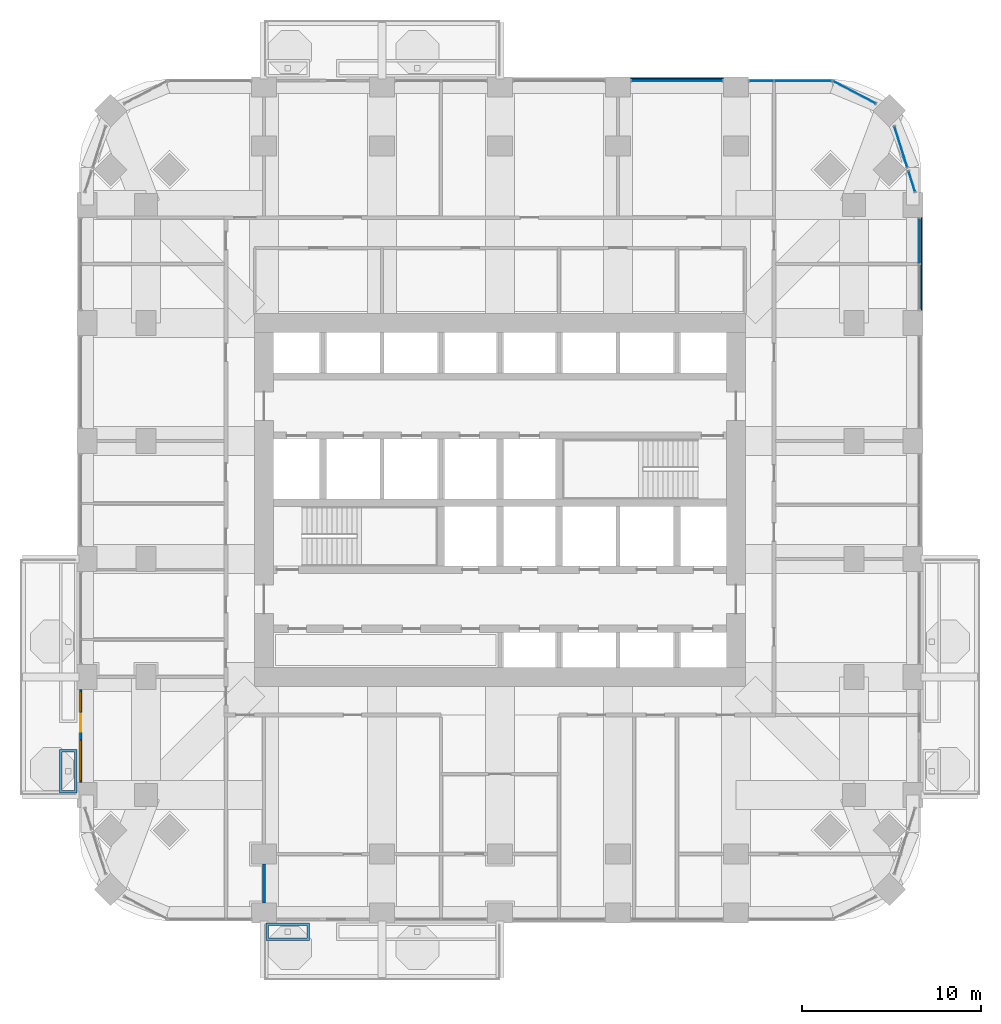
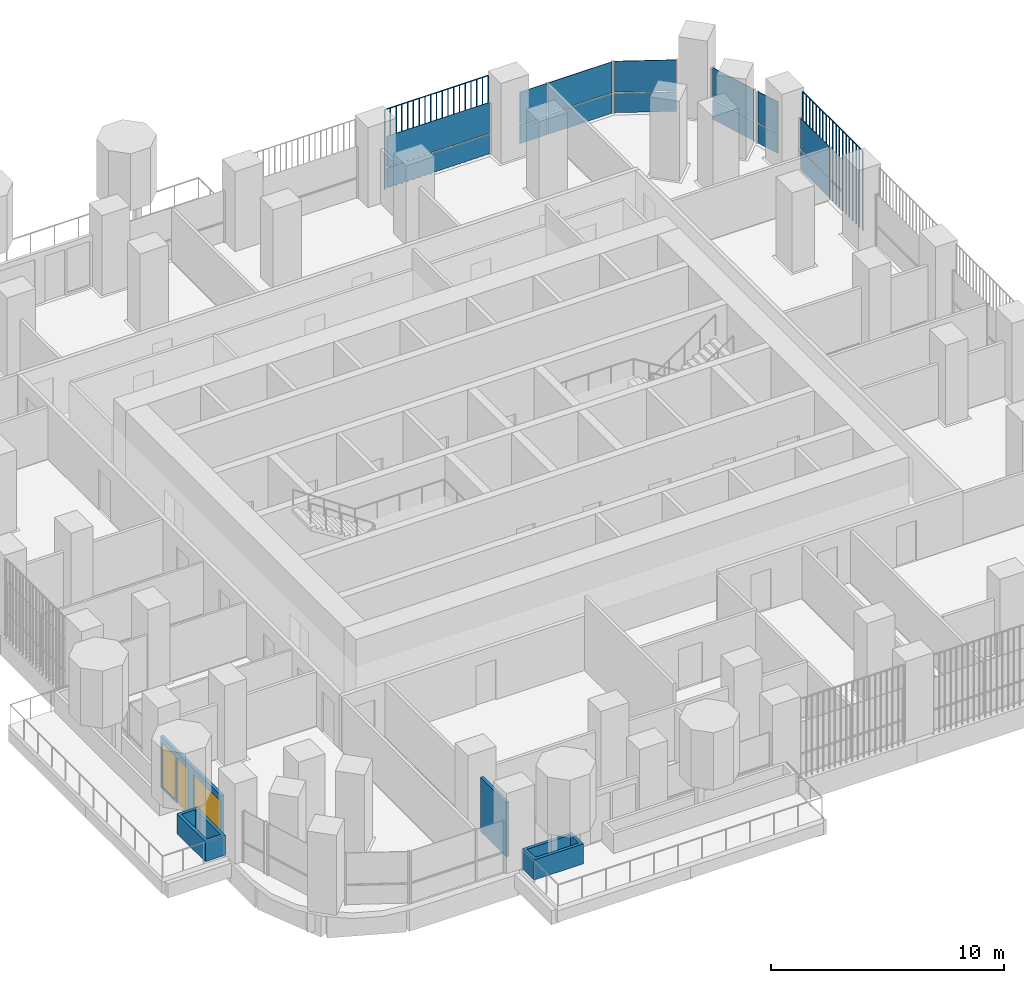
# One storey, part 12 of 21: 16 plates, 4 walls, 2 windows, 1 door, 3 openings, 6 elements without a shape of their own.
"""IFC4 building model written with IfcOpenShell, lengths in metres."""

import ifcopenshell
import ifcopenshell.guid

model = None  # the IFC model being written
_history = None  # IfcOwnerHistory: only IFC2X3 demands one
_inside = {}  # id of a spatial element -> (the spatial element, [elements in it])
_under = {}  # id of a project, library or spatial element -> (it, [spatial elements below it])
_declared = {}  # id of a project -> (the project, [libraries it declares])
_typed = {}  # id of a type object -> (the type object, [elements of that type])
_made_of = {}  # id of a material, layer set ... -> (it, [elements and type objects made of it])


def new_model(schema):
    """Start an empty IFC model of exactly this schema.

    Asked for "IFC4X3", IfcOpenShell would pick the latest addendum, in which some entities
    have other attributes; the version numbers below select the first issue.
    IFC2X3 requires an IfcOwnerHistory on every rooted entity: one is made here for all.
    """
    global model, _history
    if schema == "IFC4X3":
        model = ifcopenshell.file(schema_version=(4, 3, 0, 0))
    else:
        model = ifcopenshell.file(schema=schema)
    _inside.clear()
    _under.clear()
    _declared.clear()
    _typed.clear()
    _made_of.clear()
    _history = None
    if model.schema == "IFC2X3":
        org = make("IfcOrganization", Name="unknown")
        user = make(
            "IfcPersonAndOrganization",
            ThePerson=make("IfcPerson", FamilyName="unknown"),
            TheOrganization=org,
        )
        app = make(
            "IfcApplication",
            ApplicationDeveloper=org,
            Version="unknown",
            ApplicationFullName="unknown",
            ApplicationIdentifier="unknown",
        )
        _history = make(
            "IfcOwnerHistory",
            OwningUser=user,
            OwningApplication=app,
            ChangeAction="ADDED",
            CreationDate=0,
        )
    return model


def make(cls, **values):
    """One entity of the class cls with the attributes given. An attribute that is None is left unset."""
    return model.create_entity(
        cls, **{name: value for name, value in values.items() if value is not None}
    )


def rooted(cls, **values):
    """An entity with a GlobalId (a new one), such as an element, a storey or a relation."""
    return make(cls, GlobalId=ifcopenshell.guid.new(), OwnerHistory=_history, **values)


def si_unit(unit_type, name, prefix=None):
    """IfcSIUnit, for example si_unit("LENGTHUNIT", "METRE", prefix="MILLI")."""
    return make("IfcSIUnit", UnitType=unit_type, Prefix=prefix, Name=name)


def assignment(units):
    """IfcUnitAssignment: the units of a project."""
    return None if units is None else make("IfcUnitAssignment", Units=units)


def point(xyz):
    """IfcCartesianPoint."""
    return None if xyz is None else make("IfcCartesianPoint", Coordinates=xyz)


def direction(xyz):
    """IfcDirection."""
    return None if xyz is None else make("IfcDirection", DirectionRatios=xyz)


def frame(location, z_axis=None, x_axis=None):
    """IfcAxis2Placement3D, a coordinate frame: its origin and axes. An axis left out is left unset."""
    return make(
        "IfcAxis2Placement3D",
        Location=point(location),
        Axis=direction(z_axis),
        RefDirection=direction(x_axis),
    )


def frame_2d(location, x_axis=None):
    """IfcAxis2Placement2D, a coordinate frame in the plane: its origin and x axis."""
    return make(
        "IfcAxis2Placement2D", Location=point(location), RefDirection=direction(x_axis)
    )


def origin():
    """The frame at (0, 0, 0) with its axes left unset."""
    return frame((0.0, 0.0, 0.0))


def origin_2d():
    """The frame at (0, 0) in the plane with its x axis left unset."""
    return frame_2d((0.0, 0.0))


def place(relative_to, where):
    """IfcLocalPlacement: puts the frame where relative to a parent placement (None: the world)."""
    return make(
        "IfcLocalPlacement", PlacementRelTo=relative_to, RelativePlacement=where
    )


def context(
    kind, dimensions, precision=None, world=None, true_north=None, identifier=None
):
    """IfcGeometricRepresentationContext, for example the 3D "Model" context."""
    return make(
        "IfcGeometricRepresentationContext",
        ContextIdentifier=identifier,
        ContextType=kind,
        CoordinateSpaceDimension=dimensions,
        Precision=precision,
        WorldCoordinateSystem=world,
        TrueNorth=true_north,
    )


def subcontext(parent, identifier, kind, view, scale=None):
    """IfcGeometricRepresentationSubContext, for example "Body" below "Model"."""
    return make(
        "IfcGeometricRepresentationSubContext",
        ContextIdentifier=identifier,
        ContextType=kind,
        ParentContext=parent,
        TargetScale=scale,
        TargetView=view,
    )


def project(units=None, contexts=None):
    """IfcProject with its units and contexts."""
    return rooted(
        "IfcProject",
        Name="project",
        RepresentationContexts=contexts,
        UnitsInContext=assignment(units),
    )


def spatial(cls, under=None, at=None, **own):
    """A site, building, storey or space (cls), placed at a placement, below another one or the project."""
    s = rooted(cls, ObjectPlacement=at, **own)
    if under is not None:
        _under.setdefault(under.id(), (under, []))[1].append(s)
    return s


def polyline(points):
    """IfcPolyline through the points."""
    return make("IfcPolyline", Points=[point(p) for p in points])


def profile(cls, at=None, kind="AREA", **sizes):
    """A parametric profile (cls). Its sizes go by their IFC names, for example OverallWidth=200.0."""
    return make(cls, ProfileType=kind, Position=at, **sizes)


def rectangle(**sizes):
    """IfcRectangleProfileDef."""
    return profile("IfcRectangleProfileDef", **sizes)


def outline(outer, holes=None, kind="AREA"):
    """IfcArbitraryClosedProfileDef: a profile drawn as a closed curve; with holes, ...WithVoids."""
    if holes is None:
        return make("IfcArbitraryClosedProfileDef", ProfileType=kind, OuterCurve=outer)
    return make(
        "IfcArbitraryProfileDefWithVoids",
        ProfileType=kind,
        OuterCurve=outer,
        InnerCurves=holes,
    )


def extrude(swept, where, along, depth):
    """IfcExtrudedAreaSolid: the profile swept, set in the frame where, extruded along a direction by depth."""
    return make(
        "IfcExtrudedAreaSolid",
        SweptArea=swept,
        Position=where,
        ExtrudedDirection=direction(along),
        Depth=depth,
    )


def shape(context_of_items, identifier, shape_type, items):
    """IfcShapeRepresentation: the items that make up one representation, for example the "Body"."""
    return make(
        "IfcShapeRepresentation",
        ContextOfItems=context_of_items,
        RepresentationIdentifier=identifier,
        RepresentationType=shape_type,
        Items=items,
    )


def material(Name=None, Category=None):
    """IfcMaterial."""
    return make("IfcMaterial", Name=Name, Category=Category)


def layer(
    of_material, thickness, ventilated=None, Name=None, Category=None, Priority=None
):
    """IfcMaterialLayer: one layer of a wall or slab, of a material (None: an air gap)."""
    return make(
        "IfcMaterialLayer",
        Material=of_material,
        LayerThickness=thickness,
        IsVentilated=ventilated,
        Name=Name,
        Category=Category,
        Priority=Priority,
    )


def layer_set(layers, Name=None):
    """IfcMaterialLayerSet."""
    return make("IfcMaterialLayerSet", MaterialLayers=layers, LayerSetName=Name)


def made_of(thing, what):
    """Note that an element or type object is made of a material, layer set ...; save() writes the relation."""
    if what is not None:
        _made_of.setdefault(what.id(), (what, []))[1].append(thing)
    return thing


def type_object(cls, material=None, **own):
    """A type object (cls), such as IfcWallType, which elements share."""
    return made_of(rooted(cls, **own), material)


def element(
    cls,
    number,
    at=None,
    inside=None,
    cuts=None,
    type_object=None,
    material=None,
    context=None,
    identifier="Body",
    shape_type=None,
    held_by="IfcProductDefinitionShape",
    body=None,
    shapes=None,
    **own,
):
    """One element of the class cls, such as IfcWall. Its Tag is "e" and its number.

    at: its placement. inside: the storey or other place that contains it. cuts: it is an
    opening in that element (IfcRelVoidsElement). A single representation is given by context,
    identifier, shape_type and body (its items); several are given by shapes. held_by: the class
    of the entity that holds the representations. save() writes the other relations.
    """
    e = rooted(cls, Tag="e%d" % number, ObjectPlacement=at, **own)
    if body is not None:
        shapes = [shape(context, identifier, shape_type, body)]
    if shapes is not None:
        e.Representation = make(held_by, Representations=shapes)
    if inside is not None:
        _inside.setdefault(inside.id(), (inside, []))[1].append(e)
    if cuts is not None:
        rooted(
            "IfcRelVoidsElement", RelatingBuildingElement=cuts, RelatedOpeningElement=e
        )
    if type_object is not None:
        _typed.setdefault(type_object.id(), (type_object, []))[1].append(e)
    return made_of(e, material)


def fill(opening, filler):
    """IfcRelFillsElement: the door or window that sits in an opening."""
    return rooted(
        "IfcRelFillsElement",
        RelatingOpeningElement=opening,
        RelatedBuildingElement=filler,
    )


def aggregate(whole, parts):
    """IfcRelAggregates: a whole, such as a stair, and the parts it consists of."""
    return rooted("IfcRelAggregates", RelatingObject=whole, RelatedObjects=parts)


def save(model, path):
    """Write the relations noted so far, then the file.

    IfcRelAggregates (storeys below a building ...), IfcRelContainedInSpatialStructure (elements
    in a storey), IfcRelDefinesByType, IfcRelAssociatesMaterial and IfcRelDeclares: one each for
    every whole, place, type object, material and project.
    """
    for whole, parts in _under.values():
        aggregate(whole, parts)
    for where, things in _inside.values():
        rooted(
            "IfcRelContainedInSpatialStructure",
            RelatedElements=things,
            RelatingStructure=where,
        )
    for kind, things in _typed.values():
        rooted("IfcRelDefinesByType", RelatedObjects=things, RelatingType=kind)
    for what, things in _made_of.values():
        rooted("IfcRelAssociatesMaterial", RelatedObjects=things, RelatingMaterial=what)
    for by, libraries in _declared.values():
        rooted("IfcRelDeclares", RelatingContext=by, RelatedDefinitions=libraries)
    model.write(path)


model = new_model("IFC4")

# Units and contexts
model_context = context("Model", 3, precision=1e-05, world=origin(), true_north=direction((0.0, 1.0)))
body_context = subcontext(model_context, "Body", "Model", "MODEL_VIEW")
ifc_project = project(units=[si_unit("LENGTHUNIT", "METRE"), si_unit("AREAUNIT", "SQUARE_METRE"), si_unit("VOLUMEUNIT", "CUBIC_METRE"), si_unit("PLANEANGLEUNIT", "RADIAN"), si_unit("MASSUNIT", "GRAM", prefix="KILO")], contexts=[model_context])

# Site, building, storey
site_placement = place(None, origin())
site = spatial("IfcSite", under=ifc_project, at=site_placement, CompositionType="ELEMENT")
building_placement = place(site_placement, origin())
building = spatial("IfcBuilding", under=site, at=building_placement, Name="Cobogo Forest Laboratory Tower", CompositionType="ELEMENT")
storey_placement = place(building_placement, frame((0.0, 0.0, 132.60009765625)))
storey = spatial("IfcBuildingStorey", under=building, at=storey_placement, Name="L30", CompositionType="ELEMENT", Elevation=132.60009765625)

# Curtain wall, plates
ifc_material_1 = material(Name="Aluminium curtain wall", Category="aluminium")
curtain_wall_type = type_object("IfcCurtainWallType", Name="CW-1 unitised curtain wall, clear glazing, laboratory floors zones A and B", PredefinedType="USERDEFINED", material=ifc_material_1)
curtain_wall_1_placement = place(storey_placement, origin())
curtain_wall_1 = element("IfcCurtainWall", 1, at=curtain_wall_1_placement, inside=storey, type_object=curtain_wall_type, Name="Curtain wall 14 L30", ObjectType="UNITISED CURTAIN WALL", PredefinedType="USERDEFINED")
ifc_material_2 = material(Name="Clear insulated glass", Category="glass")
ifc_layer_1 = layer(ifc_material_2, 0.028076171875)
ifc_layer_set_1 = layer_set([ifc_layer_1], Name="GP-1 clear insulated glass unit 28")
plate_type_1 = type_object("IfcPlateType", Name="GP-1 clear insulated glass unit 28", PredefinedType="CURTAIN_PANEL", material=ifc_layer_set_1)
plate_1_placement = place(storey_placement, frame((49.85009765625, 37.5849609375, 0.0), z_axis=(0.0, 0.0, 1.0), x_axis=(0.0, 1.0, 0.0)))
plate_1 = element("IfcPlate", 2, at=plate_1_placement, type_object=plate_type_1, Name="CW-1 panel 2.1", PredefinedType="CURTAIN_PANEL", context=body_context, shape_type="SweptSolid", body=[
    extrude(rectangle(XDim=2.510009765625, YDim=0.028076171875, at=origin_2d()), origin(), (0.0, 0.0, 1.0), 1.02001953125),
])
plate_2_placement = place(storey_placement, frame((49.85009765625, 37.5849609375, 1.079833984375), z_axis=(0.0, 0.0, 1.0), x_axis=(0.0, 1.0, 0.0)))
plate_2 = element("IfcPlate", 3, at=plate_2_placement, type_object=plate_type_1, Name="CW-1 panel 2.2", PredefinedType="CURTAIN_PANEL", context=body_context, shape_type="SweptSolid", body=[
    extrude(rectangle(XDim=2.510009765625, YDim=0.028076171875, at=origin_2d()), origin(), (0.0, 0.0, 1.0), 1.6201171875),
])
aggregate(curtain_wall_1, [plate_1, plate_2])

curtain_wall_2_placement = place(storey_placement, origin())
curtain_wall_2 = element("IfcCurtainWall", 4, at=curtain_wall_2_placement, inside=storey, type_object=curtain_wall_type, Name="Curtain wall 15 L30", ObjectType="UNITISED CURTAIN WALL", PredefinedType="USERDEFINED")
plate_3_placement = place(storey_placement, frame((49.433837890625, 40.917724609375, 0.0), z_axis=(0.0, 0.0, 1.0), x_axis=(-0.301135356805, 0.953581405483, 0.0)))
plate_3 = element("IfcPlate", 5, at=plate_3_placement, type_object=plate_type_1, Name="CW-1 panel 1.1", PredefinedType="CURTAIN_PANEL", context=body_context, shape_type="SweptSolid", body=[
    extrude(rectangle(XDim=1.17578125, YDim=0.028076171875, at=origin_2d()), origin(), (0.0, 0.0, 1.0), 1.02001953125),
])
plate_4_placement = place(storey_placement, frame((49.433837890625, 40.917724609375, 1.079833984375), z_axis=(0.0, 0.0, 1.0), x_axis=(-0.301135356805, 0.953581405483, 0.0)))
plate_4 = element("IfcPlate", 6, at=plate_4_placement, type_object=plate_type_1, Name="CW-1 panel 1.2", PredefinedType="CURTAIN_PANEL", context=body_context, shape_type="SweptSolid", body=[
    extrude(rectangle(XDim=1.17578125, YDim=0.028076171875, at=origin_2d()), origin(), (0.0, 0.0, 1.0), 1.6201171875),
])
aggregate(curtain_wall_2, [plate_3, plate_4])

curtain_wall_3_placement = place(storey_placement, origin())
curtain_wall_3 = element("IfcCurtainWall", 7, at=curtain_wall_3_placement, inside=storey, type_object=curtain_wall_type, Name="Curtain wall 16 L30", ObjectType="UNITISED CURTAIN WALL", PredefinedType="USERDEFINED")
plate_5_placement = place(storey_placement, frame((48.8212890625, 42.857421875, 0.0), z_axis=(0.0, 0.0, 1.0), x_axis=(-0.301135291996, 0.953581425949, 0.0)))
plate_5 = element("IfcPlate", 8, at=plate_5_placement, type_object=plate_type_1, Name="CW-1 panel 1.1", PredefinedType="CURTAIN_PANEL", context=body_context, shape_type="SweptSolid", body=[
    extrude(rectangle(XDim=2.3681640625, YDim=0.028076171875, at=origin_2d()), origin(), (0.0, 0.0, 1.0), 1.02001953125),
])
plate_6_placement = place(storey_placement, frame((48.8212890625, 42.857421875, 1.079833984375), z_axis=(0.0, 0.0, 1.0), x_axis=(-0.301135291996, 0.953581425949, 0.0)))
plate_6 = element("IfcPlate", 9, at=plate_6_placement, type_object=plate_type_1, Name="CW-1 panel 1.2", PredefinedType="CURTAIN_PANEL", context=body_context, shape_type="SweptSolid", body=[
    extrude(rectangle(XDim=2.3681640625, YDim=0.028076171875, at=origin_2d()), origin(), (0.0, 0.0, 1.0), 1.6201171875),
])
aggregate(curtain_wall_3, [plate_5, plate_6])

curtain_wall_4_placement = place(storey_placement, origin())
curtain_wall_4 = element("IfcCurtainWall", 10, at=curtain_wall_4_placement, inside=storey, type_object=curtain_wall_type, Name="Curtain wall 17 L30", ObjectType="UNITISED CURTAIN WALL", PredefinedType="USERDEFINED")
plate_7_placement = place(storey_placement, frame((46.229248046875, 45.90576171875, 0.0), z_axis=(0.0, 0.0, 1.0), x_axis=(-0.885686547075, 0.464283685186, 0.0)))
plate_7 = element("IfcPlate", 11, at=plate_7_placement, type_object=plate_type_1, Name="CW-1 panel 1.1", PredefinedType="CURTAIN_PANEL", context=body_context, shape_type="SweptSolid", body=[
    extrude(rectangle(XDim=2.655517578125, YDim=0.028076171875, at=origin_2d()), origin(), (0.0, 0.0, 1.0), 1.02001953125),
])
plate_8_placement = place(storey_placement, frame((46.229248046875, 45.90576171875, 1.079833984375), z_axis=(0.0, 0.0, 1.0), x_axis=(-0.885686547075, 0.464283685186, 0.0)))
plate_8 = element("IfcPlate", 12, at=plate_8_placement, type_object=plate_type_1, Name="CW-1 panel 1.2", PredefinedType="CURTAIN_PANEL", context=body_context, shape_type="SweptSolid", body=[
    extrude(rectangle(XDim=2.655517578125, YDim=0.028076171875, at=origin_2d()), origin(), (0.0, 0.0, 1.0), 1.6201171875),
])
aggregate(curtain_wall_4, [plate_7, plate_8])

curtain_wall_5_placement = place(storey_placement, origin())
curtain_wall_5 = element("IfcCurtainWall", 13, at=curtain_wall_5_placement, inside=storey, type_object=curtain_wall_type, Name="Curtain wall 18 L30", ObjectType="UNITISED CURTAIN WALL", PredefinedType="USERDEFINED")
plate_9_placement = place(storey_placement, frame((43.347412109375, 46.550048828125, 0.0), z_axis=(0.0, 0.0, 1.0), x_axis=(-1.0, 0.0, 0.0)))
plate_9 = element("IfcPlate", 14, at=plate_9_placement, type_object=plate_type_1, Name="CW-1 panel 1.1", PredefinedType="CURTAIN_PANEL", context=body_context, shape_type="SweptSolid", body=[
    extrude(rectangle(XDim=3.18505859375, YDim=0.028076171875, at=origin_2d()), origin(), (0.0, 0.0, 1.0), 1.02001953125),
])
plate_10_placement = place(storey_placement, frame((43.347412109375, 46.550048828125, 1.079833984375), z_axis=(0.0, 0.0, 1.0), x_axis=(-1.0, 0.0, 0.0)))
plate_10 = element("IfcPlate", 15, at=plate_10_placement, type_object=plate_type_1, Name="CW-1 panel 1.2", PredefinedType="CURTAIN_PANEL", context=body_context, shape_type="SweptSolid", body=[
    extrude(rectangle(XDim=3.18505859375, YDim=0.028076171875, at=origin_2d()), origin(), (0.0, 0.0, 1.0), 1.6201171875),
])
plate_11_placement = place(storey_placement, frame((41.027587890625, 46.550048828125, 0.0), z_axis=(0.0, 0.0, 1.0), x_axis=(-1.0, 0.0, 0.0)))
plate_11 = element("IfcPlate", 16, at=plate_11_placement, type_object=plate_type_1, Name="CW-1 panel 2.1", PredefinedType="CURTAIN_PANEL", context=body_context, shape_type="SweptSolid", body=[
    extrude(rectangle(XDim=1.3349609375, YDim=0.028076171875, at=origin_2d()), origin(), (0.0, 0.0, 1.0), 1.02001953125),
])
plate_12_placement = place(storey_placement, frame((41.027587890625, 46.550048828125, 1.079833984375), z_axis=(0.0, 0.0, 1.0), x_axis=(-1.0, 0.0, 0.0)))
plate_12 = element("IfcPlate", 17, at=plate_12_placement, type_object=plate_type_1, Name="CW-1 panel 2.2", PredefinedType="CURTAIN_PANEL", context=body_context, shape_type="SweptSolid", body=[
    extrude(rectangle(XDim=1.3349609375, YDim=0.028076171875, at=origin_2d()), origin(), (0.0, 0.0, 1.0), 1.6201171875),
])
aggregate(curtain_wall_5, [plate_9, plate_10, plate_11, plate_12])

curtain_wall_6_placement = place(storey_placement, origin())
curtain_wall_6 = element("IfcCurtainWall", 18, at=curtain_wall_6_placement, inside=storey, type_object=curtain_wall_type, Name="Curtain wall 19 L30", ObjectType="UNITISED CURTAIN WALL", PredefinedType="USERDEFINED")
plate_13_placement = place(storey_placement, frame((36.300048828125, 46.550048828125, 0.0), z_axis=(0.0, 0.0, 1.0), x_axis=(-1.0, 0.0, 0.0)))
plate_13 = element("IfcPlate", 19, at=plate_13_placement, type_object=plate_type_1, Name="CW-1 panel 1.1", PredefinedType="CURTAIN_PANEL", context=body_context, shape_type="SweptSolid", body=[
    extrude(rectangle(XDim=5.080078125, YDim=0.028076171875, at=origin_2d()), origin(), (0.0, 0.0, 1.0), 1.02001953125),
])
plate_14_placement = place(storey_placement, frame((36.300048828125, 46.550048828125, 1.079833984375), z_axis=(0.0, 0.0, 1.0), x_axis=(-1.0, 0.0, 0.0)))
plate_14 = element("IfcPlate", 20, at=plate_14_placement, type_object=plate_type_1, Name="CW-1 panel 1.2", PredefinedType="CURTAIN_PANEL", context=body_context, shape_type="SweptSolid", body=[
    extrude(rectangle(XDim=5.080078125, YDim=0.028076171875, at=origin_2d()), origin(), (0.0, 0.0, 1.0), 1.6201171875),
])
aggregate(curtain_wall_6, [plate_13, plate_14])

# Plates
ifc_material_3 = material(Name="Terracotta", Category="masonry")
plate_type_2 = type_object("IfcPlateType", Name="TB1 terracotta baguette screen", PredefinedType="USERDEFINED", material=ifc_material_3)
plate_15_placement = place(storey_placement, frame((49.977783203125, 33.731201171875, -0.150146484375)))
element("IfcPlate", 21, at=plate_15_placement, inside=storey, type_object=plate_type_2, Name="Baguette screen E5 L30", ObjectType="BAGUETTE SCREEN", PredefinedType="USERDEFINED", context=body_context, shape_type="SweptSolid", body=[
    extrude(outline(polyline([(0.02880859375, 0.011962890625), (0.011962890625, 0.02880859375), (-0.011962890625, 0.02880859375), (-0.02880859375, 0.011962890625), (-0.02880859375, -0.011962890625), (-0.011962890625, -0.02880859375), (0.011962890625, -0.02880859375), (0.02880859375, -0.011962890625), (0.02880859375, 0.011962890625)])), frame((0.0, 0.0, 4.168701171875), z_axis=(0.0, 1.0, 0.0), x_axis=(-1.0, 0.0, 0.0)), (0.0, 0.0, 1.0), 5.137451171875),
    extrude(outline(polyline([(0.02880859375, 0.011962890625), (0.011962890625, 0.02880859375), (-0.011962890625, 0.02880859375), (-0.02880859375, 0.011962890625), (-0.02880859375, -0.011962890625), (-0.011962890625, -0.02880859375), (0.011962890625, -0.02880859375), (0.02880859375, -0.011962890625), (0.02880859375, 0.011962890625)])), origin(), (0.0, 0.0, 1.0), 4.137451171875),
    extrude(outline(polyline([(0.02880859375, 0.011962890625), (0.011962890625, 0.02880859375), (-0.011962890625, 0.02880859375), (-0.02880859375, 0.011962890625), (-0.02880859375, -0.011962890625), (-0.011962890625, -0.02880859375), (0.011962890625, -0.02880859375), (0.02880859375, -0.011962890625), (0.02880859375, 0.011962890625)])), frame((0.0, 0.285400390625, 0.0)), (0.0, 0.0, 1.0), 4.137451171875),
    extrude(outline(polyline([(0.02880859375, 0.011962890625), (0.011962890625, 0.02880859375), (-0.011962890625, 0.02880859375), (-0.02880859375, 0.011962890625), (-0.02880859375, -0.011962890625), (-0.011962890625, -0.02880859375), (0.011962890625, -0.02880859375), (0.02880859375, -0.011962890625), (0.02880859375, 0.011962890625)])), frame((0.0, 0.57080078125, 0.0)), (0.0, 0.0, 1.0), 4.137451171875),
    extrude(outline(polyline([(0.02880859375, 0.011962890625), (0.011962890625, 0.02880859375), (-0.011962890625, 0.02880859375), (-0.02880859375, 0.011962890625), (-0.02880859375, -0.011962890625), (-0.011962890625, -0.02880859375), (0.011962890625, -0.02880859375), (0.02880859375, -0.011962890625), (0.02880859375, 0.011962890625)])), frame((0.0, 0.856201171875, 0.0)), (0.0, 0.0, 1.0), 4.137451171875),
    extrude(outline(polyline([(0.02880859375, 0.011962890625), (0.011962890625, 0.02880859375), (-0.011962890625, 0.02880859375), (-0.02880859375, 0.011962890625), (-0.02880859375, -0.011962890625), (-0.011962890625, -0.02880859375), (0.011962890625, -0.02880859375), (0.02880859375, -0.011962890625), (0.02880859375, 0.011962890625)])), frame((0.0, 1.1416015625, 0.0)), (0.0, 0.0, 1.0), 4.137451171875),
    extrude(outline(polyline([(0.02880859375, 0.011962890625), (0.011962890625, 0.02880859375), (-0.011962890625, 0.02880859375), (-0.02880859375, 0.011962890625), (-0.02880859375, -0.011962890625), (-0.011962890625, -0.02880859375), (0.011962890625, -0.02880859375), (0.02880859375, -0.011962890625), (0.02880859375, 0.011962890625)])), frame((0.0, 1.427001953125, 0.0)), (0.0, 0.0, 1.0), 4.137451171875),
    extrude(outline(polyline([(0.02880859375, 0.011962890625), (0.011962890625, 0.02880859375), (-0.011962890625, 0.02880859375), (-0.02880859375, 0.011962890625), (-0.02880859375, -0.011962890625), (-0.011962890625, -0.02880859375), (0.011962890625, -0.02880859375), (0.02880859375, -0.011962890625), (0.02880859375, 0.011962890625)])), frame((0.0, 1.71240234375, 0.0)), (0.0, 0.0, 1.0), 4.137451171875),
    extrude(outline(polyline([(0.02880859375, 0.011962890625), (0.011962890625, 0.02880859375), (-0.011962890625, 0.02880859375), (-0.02880859375, 0.011962890625), (-0.02880859375, -0.011962890625), (-0.011962890625, -0.02880859375), (0.011962890625, -0.02880859375), (0.02880859375, -0.011962890625), (0.02880859375, 0.011962890625)])), frame((0.0, 1.997802734375, 0.0)), (0.0, 0.0, 1.0), 4.137451171875),
    extrude(outline(polyline([(0.02880859375, 0.011962890625), (0.011962890625, 0.02880859375), (-0.011962890625, 0.02880859375), (-0.02880859375, 0.011962890625), (-0.02880859375, -0.011962890625), (-0.011962890625, -0.02880859375), (0.011962890625, -0.02880859375), (0.02880859375, -0.011962890625), (0.02880859375, 0.011962890625)])), frame((0.0, 2.283203125, 0.0)), (0.0, 0.0, 1.0), 4.137451171875),
    extrude(outline(polyline([(0.02880859375, 0.011962890625), (0.011962890625, 0.02880859375), (-0.011962890625, 0.02880859375), (-0.02880859375, 0.011962890625), (-0.02880859375, -0.011962890625), (-0.011962890625, -0.02880859375), (0.011962890625, -0.02880859375), (0.02880859375, -0.011962890625), (0.02880859375, 0.011962890625)])), frame((0.0, 2.56884765625, 0.0)), (0.0, 0.0, 1.0), 4.137451171875),
    extrude(outline(polyline([(0.02880859375, 0.011962890625), (0.011962890625, 0.02880859375), (-0.011962890625, 0.02880859375), (-0.02880859375, 0.011962890625), (-0.02880859375, -0.011962890625), (-0.011962890625, -0.02880859375), (0.011962890625, -0.02880859375), (0.02880859375, -0.011962890625), (0.02880859375, 0.011962890625)])), frame((0.0, 2.854248046875, 0.0)), (0.0, 0.0, 1.0), 4.137451171875),
    extrude(outline(polyline([(0.02880859375, 0.011962890625), (0.011962890625, 0.02880859375), (-0.011962890625, 0.02880859375), (-0.02880859375, 0.011962890625), (-0.02880859375, -0.011962890625), (-0.011962890625, -0.02880859375), (0.011962890625, -0.02880859375), (0.02880859375, -0.011962890625), (0.02880859375, 0.011962890625)])), frame((0.0, 3.1396484375, 0.0)), (0.0, 0.0, 1.0), 4.137451171875),
    extrude(outline(polyline([(0.02880859375, 0.011962890625), (0.011962890625, 0.02880859375), (-0.011962890625, 0.02880859375), (-0.02880859375, 0.011962890625), (-0.02880859375, -0.011962890625), (-0.011962890625, -0.02880859375), (0.011962890625, -0.02880859375), (0.02880859375, -0.011962890625), (0.02880859375, 0.011962890625)])), frame((0.0, 3.425048828125, 0.0)), (0.0, 0.0, 1.0), 4.137451171875),
    extrude(outline(polyline([(0.02880859375, 0.011962890625), (0.011962890625, 0.02880859375), (-0.011962890625, 0.02880859375), (-0.02880859375, 0.011962890625), (-0.02880859375, -0.011962890625), (-0.011962890625, -0.02880859375), (0.011962890625, -0.02880859375), (0.02880859375, -0.011962890625), (0.02880859375, 0.011962890625)])), frame((0.0, 3.71044921875, 0.0)), (0.0, 0.0, 1.0), 4.137451171875),
    extrude(outline(polyline([(0.02880859375, 0.011962890625), (0.011962890625, 0.02880859375), (-0.011962890625, 0.02880859375), (-0.02880859375, 0.011962890625), (-0.02880859375, -0.011962890625), (-0.011962890625, -0.02880859375), (0.011962890625, -0.02880859375), (0.02880859375, -0.011962890625), (0.02880859375, 0.011962890625)])), frame((0.0, 3.995849609375, 0.0)), (0.0, 0.0, 1.0), 4.137451171875),
    extrude(outline(polyline([(0.02880859375, 0.011962890625), (0.011962890625, 0.02880859375), (-0.011962890625, 0.02880859375), (-0.02880859375, 0.011962890625), (-0.02880859375, -0.011962890625), (-0.011962890625, -0.02880859375), (0.011962890625, -0.02880859375), (0.02880859375, -0.011962890625), (0.02880859375, 0.011962890625)])), frame((0.0, 4.28125, 0.0)), (0.0, 0.0, 1.0), 4.137451171875),
    extrude(outline(polyline([(0.02880859375, 0.011962890625), (0.011962890625, 0.02880859375), (-0.011962890625, 0.02880859375), (-0.02880859375, 0.011962890625), (-0.02880859375, -0.011962890625), (-0.011962890625, -0.02880859375), (0.011962890625, -0.02880859375), (0.02880859375, -0.011962890625), (0.02880859375, 0.011962890625)])), frame((0.0, 4.566650390625, 0.0)), (0.0, 0.0, 1.0), 4.137451171875),
    extrude(outline(polyline([(0.02880859375, 0.011962890625), (0.011962890625, 0.02880859375), (-0.011962890625, 0.02880859375), (-0.02880859375, 0.011962890625), (-0.02880859375, -0.011962890625), (-0.011962890625, -0.02880859375), (0.011962890625, -0.02880859375), (0.02880859375, -0.011962890625), (0.02880859375, 0.011962890625)])), frame((0.0, 4.85205078125, 0.0)), (0.0, 0.0, 1.0), 4.137451171875),
    extrude(outline(polyline([(0.02880859375, 0.011962890625), (0.011962890625, 0.02880859375), (-0.011962890625, 0.02880859375), (-0.02880859375, 0.011962890625), (-0.02880859375, -0.011962890625), (-0.011962890625, -0.02880859375), (0.011962890625, -0.02880859375), (0.02880859375, -0.011962890625), (0.02880859375, 0.011962890625)])), frame((0.0, 5.137451171875, 0.0)), (0.0, 0.0, 1.0), 4.137451171875),
])
plate_16_placement = place(storey_placement, frame((33.731201171875, 46.677978515625, -0.150146484375)))
element("IfcPlate", 22, at=plate_16_placement, inside=storey, type_object=plate_type_2, Name="Baguette screen N4 L30", ObjectType="BAGUETTE SCREEN", PredefinedType="USERDEFINED", context=body_context, shape_type="SweptSolid", body=[
    extrude(outline(polyline([(0.02880859375, 0.011962890625), (0.011962890625, 0.02880859375), (-0.011962890625, 0.02880859375), (-0.02880859375, 0.011962890625), (-0.02880859375, -0.011962890625), (-0.011962890625, -0.02880859375), (0.011962890625, -0.02880859375), (0.02880859375, -0.011962890625), (0.02880859375, 0.011962890625)])), frame((0.0, 0.0, 4.168701171875), z_axis=(1.0, 0.0, 0.0), x_axis=(0.0, 1.0, 0.0)), (0.0, 0.0, 1.0), 5.137451171875),
    extrude(outline(polyline([(0.02880859375, 0.011962890625), (0.011962890625, 0.02880859375), (-0.011962890625, 0.02880859375), (-0.02880859375, 0.011962890625), (-0.02880859375, -0.011962890625), (-0.011962890625, -0.02880859375), (0.011962890625, -0.02880859375), (0.02880859375, -0.011962890625), (0.02880859375, 0.011962890625)])), origin(), (0.0, 0.0, 1.0), 4.137451171875),
    extrude(outline(polyline([(0.02880859375, 0.011962890625), (0.011962890625, 0.02880859375), (-0.011962890625, 0.02880859375), (-0.02880859375, 0.011962890625), (-0.02880859375, -0.011962890625), (-0.011962890625, -0.02880859375), (0.011962890625, -0.02880859375), (0.02880859375, -0.011962890625), (0.02880859375, 0.011962890625)])), frame((0.285400390625, 0.0, 0.0)), (0.0, 0.0, 1.0), 4.137451171875),
    extrude(outline(polyline([(0.02880859375, 0.011962890625), (0.011962890625, 0.02880859375), (-0.011962890625, 0.02880859375), (-0.02880859375, 0.011962890625), (-0.02880859375, -0.011962890625), (-0.011962890625, -0.02880859375), (0.011962890625, -0.02880859375), (0.02880859375, -0.011962890625), (0.02880859375, 0.011962890625)])), frame((0.57080078125, 0.0, 0.0)), (0.0, 0.0, 1.0), 4.137451171875),
    extrude(outline(polyline([(0.02880859375, 0.011962890625), (0.011962890625, 0.02880859375), (-0.011962890625, 0.02880859375), (-0.02880859375, 0.011962890625), (-0.02880859375, -0.011962890625), (-0.011962890625, -0.02880859375), (0.011962890625, -0.02880859375), (0.02880859375, -0.011962890625), (0.02880859375, 0.011962890625)])), frame((0.856201171875, 0.0, 0.0)), (0.0, 0.0, 1.0), 4.137451171875),
    extrude(outline(polyline([(0.02880859375, 0.011962890625), (0.011962890625, 0.02880859375), (-0.011962890625, 0.02880859375), (-0.02880859375, 0.011962890625), (-0.02880859375, -0.011962890625), (-0.011962890625, -0.02880859375), (0.011962890625, -0.02880859375), (0.02880859375, -0.011962890625), (0.02880859375, 0.011962890625)])), frame((1.1416015625, 0.0, 0.0)), (0.0, 0.0, 1.0), 4.137451171875),
    extrude(outline(polyline([(0.02880859375, 0.011962890625), (0.011962890625, 0.02880859375), (-0.011962890625, 0.02880859375), (-0.02880859375, 0.011962890625), (-0.02880859375, -0.011962890625), (-0.011962890625, -0.02880859375), (0.011962890625, -0.02880859375), (0.02880859375, -0.011962890625), (0.02880859375, 0.011962890625)])), frame((1.427001953125, 0.0, 0.0)), (0.0, 0.0, 1.0), 4.137451171875),
    extrude(outline(polyline([(0.02880859375, 0.011962890625), (0.011962890625, 0.02880859375), (-0.011962890625, 0.02880859375), (-0.02880859375, 0.011962890625), (-0.02880859375, -0.011962890625), (-0.011962890625, -0.02880859375), (0.011962890625, -0.02880859375), (0.02880859375, -0.011962890625), (0.02880859375, 0.011962890625)])), frame((1.71240234375, 0.0, 0.0)), (0.0, 0.0, 1.0), 4.137451171875),
    extrude(outline(polyline([(0.02880859375, 0.011962890625), (0.011962890625, 0.02880859375), (-0.011962890625, 0.02880859375), (-0.02880859375, 0.011962890625), (-0.02880859375, -0.011962890625), (-0.011962890625, -0.02880859375), (0.011962890625, -0.02880859375), (0.02880859375, -0.011962890625), (0.02880859375, 0.011962890625)])), frame((1.997802734375, 0.0, 0.0)), (0.0, 0.0, 1.0), 4.137451171875),
    extrude(outline(polyline([(0.02880859375, 0.011962890625), (0.011962890625, 0.02880859375), (-0.011962890625, 0.02880859375), (-0.02880859375, 0.011962890625), (-0.02880859375, -0.011962890625), (-0.011962890625, -0.02880859375), (0.011962890625, -0.02880859375), (0.02880859375, -0.011962890625), (0.02880859375, 0.011962890625)])), frame((2.283203125, 0.0, 0.0)), (0.0, 0.0, 1.0), 4.137451171875),
    extrude(outline(polyline([(0.02880859375, 0.011962890625), (0.011962890625, 0.02880859375), (-0.011962890625, 0.02880859375), (-0.02880859375, 0.011962890625), (-0.02880859375, -0.011962890625), (-0.011962890625, -0.02880859375), (0.011962890625, -0.02880859375), (0.02880859375, -0.011962890625), (0.02880859375, 0.011962890625)])), frame((2.56884765625, 0.0, 0.0)), (0.0, 0.0, 1.0), 4.137451171875),
    extrude(outline(polyline([(0.02880859375, 0.011962890625), (0.011962890625, 0.02880859375), (-0.011962890625, 0.02880859375), (-0.02880859375, 0.011962890625), (-0.02880859375, -0.011962890625), (-0.011962890625, -0.02880859375), (0.011962890625, -0.02880859375), (0.02880859375, -0.011962890625), (0.02880859375, 0.011962890625)])), frame((2.854248046875, 0.0, 0.0)), (0.0, 0.0, 1.0), 4.137451171875),
    extrude(outline(polyline([(0.02880859375, 0.011962890625), (0.011962890625, 0.02880859375), (-0.011962890625, 0.02880859375), (-0.02880859375, 0.011962890625), (-0.02880859375, -0.011962890625), (-0.011962890625, -0.02880859375), (0.011962890625, -0.02880859375), (0.02880859375, -0.011962890625), (0.02880859375, 0.011962890625)])), frame((3.1396484375, 0.0, 0.0)), (0.0, 0.0, 1.0), 4.137451171875),
    extrude(outline(polyline([(0.02880859375, 0.011962890625), (0.011962890625, 0.02880859375), (-0.011962890625, 0.02880859375), (-0.02880859375, 0.011962890625), (-0.02880859375, -0.011962890625), (-0.011962890625, -0.02880859375), (0.011962890625, -0.02880859375), (0.02880859375, -0.011962890625), (0.02880859375, 0.011962890625)])), frame((3.425048828125, 0.0, 0.0)), (0.0, 0.0, 1.0), 4.137451171875),
    extrude(outline(polyline([(0.02880859375, 0.011962890625), (0.011962890625, 0.02880859375), (-0.011962890625, 0.02880859375), (-0.02880859375, 0.011962890625), (-0.02880859375, -0.011962890625), (-0.011962890625, -0.02880859375), (0.011962890625, -0.02880859375), (0.02880859375, -0.011962890625), (0.02880859375, 0.011962890625)])), frame((3.71044921875, 0.0, 0.0)), (0.0, 0.0, 1.0), 4.137451171875),
    extrude(outline(polyline([(0.02880859375, 0.011962890625), (0.011962890625, 0.02880859375), (-0.011962890625, 0.02880859375), (-0.02880859375, 0.011962890625), (-0.02880859375, -0.011962890625), (-0.011962890625, -0.02880859375), (0.011962890625, -0.02880859375), (0.02880859375, -0.011962890625), (0.02880859375, 0.011962890625)])), frame((3.995849609375, 0.0, 0.0)), (0.0, 0.0, 1.0), 4.137451171875),
    extrude(outline(polyline([(0.02880859375, 0.011962890625), (0.011962890625, 0.02880859375), (-0.011962890625, 0.02880859375), (-0.02880859375, 0.011962890625), (-0.02880859375, -0.011962890625), (-0.011962890625, -0.02880859375), (0.011962890625, -0.02880859375), (0.02880859375, -0.011962890625), (0.02880859375, 0.011962890625)])), frame((4.28125, 0.0, 0.0)), (0.0, 0.0, 1.0), 4.137451171875),
    extrude(outline(polyline([(0.02880859375, 0.011962890625), (0.011962890625, 0.02880859375), (-0.011962890625, 0.02880859375), (-0.02880859375, 0.011962890625), (-0.02880859375, -0.011962890625), (-0.011962890625, -0.02880859375), (0.011962890625, -0.02880859375), (0.02880859375, -0.011962890625), (0.02880859375, 0.011962890625)])), frame((4.566650390625, 0.0, 0.0)), (0.0, 0.0, 1.0), 4.137451171875),
    extrude(outline(polyline([(0.02880859375, 0.011962890625), (0.011962890625, 0.02880859375), (-0.011962890625, 0.02880859375), (-0.02880859375, 0.011962890625), (-0.02880859375, -0.011962890625), (-0.011962890625, -0.02880859375), (0.011962890625, -0.02880859375), (0.02880859375, -0.011962890625), (0.02880859375, 0.011962890625)])), frame((4.85205078125, 0.0, 0.0)), (0.0, 0.0, 1.0), 4.137451171875),
    extrude(outline(polyline([(0.02880859375, 0.011962890625), (0.011962890625, 0.02880859375), (-0.011962890625, 0.02880859375), (-0.02880859375, 0.011962890625), (-0.02880859375, -0.011962890625), (-0.011962890625, -0.02880859375), (0.011962890625, -0.02880859375), (0.02880859375, -0.011962890625), (0.02880859375, 0.011962890625)])), frame((5.137451171875, 0.0, 0.0)), (0.0, 0.0, 1.0), 4.137451171875),
])

# Wall, openings, door, windows
ifc_material_4 = material(Name="Aluminium framed glazed screen", Category="aluminium")
ifc_layer_2 = layer(ifc_material_4, 0.14990234375)
ifc_layer_set_2 = layer_set([ifc_layer_2], Name="GS1 glazed door screen 150")
wall_type_1 = type_object("IfcWallType", Name="GS1 glazed door screen 150", PredefinedType="SOLIDWALL", material=ifc_layer_set_2)
wall_1_placement = place(storey_placement, frame((2.949951171875, 12.5, 0.0), z_axis=(0.0, 0.0, 1.0), x_axis=(0.0, -1.0, 0.0)))
wall_1 = element("IfcWall", 23, at=wall_1_placement, inside=storey, type_object=wall_type_1, Name="Door screen BAL-W1 L30", PredefinedType="SOLIDWALL", context=body_context, shape_type="SweptSolid", body=[
    extrude(rectangle(XDim=5.199951171875, YDim=0.14990234375, at=frame_2d((2.60009765625, 0.0))), origin(), (0.0, 0.0, 1.0), 2.699951171875),
])
opening_1_placement = place(wall_1_placement, frame((1.35009765625, 0.0, 0.0)))
opening_1 = element("IfcOpeningElement", 24, at=opening_1_placement, cuts=wall_1, Name="Opening L30-D06", PredefinedType="OPENING", context=body_context, shape_type="SweptSolid", body=[
    extrude(rectangle(XDim=1.0, YDim=2.39990234375, at=frame_2d((0.5, 1.199951171875))), frame((0.0, 0.0849609375, 0.0), z_axis=(0.0, -1.0, 0.0), x_axis=(1.0, 0.0, 0.0)), (0.0, 0.0, 1.0), 0.169921875),
])
opening_2_placement = place(wall_1_placement, frame((0.10009765625, 0.0, 0.10009765625)))
opening_2 = element("IfcOpeningElement", 25, at=opening_2_placement, cuts=wall_1, Name="Opening L30-W05", PredefinedType="OPENING", context=body_context, shape_type="SweptSolid", body=[
    extrude(rectangle(XDim=1.14990234375, YDim=2.300048828125, at=frame_2d((0.574951171875, 1.14990234375))), frame((0.0, 0.0849609375, 0.0), z_axis=(0.0, -1.0, 0.0), x_axis=(1.0, 0.0, 0.0)), (0.0, 0.0, 1.0), 0.169921875),
])
opening_3_placement = place(wall_1_placement, frame((2.85009765625, 0.0, 0.10009765625)))
opening_3 = element("IfcOpeningElement", 26, at=opening_3_placement, cuts=wall_1, Name="Opening L30-W03", PredefinedType="OPENING", context=body_context, shape_type="SweptSolid", body=[
    extrude(rectangle(XDim=2.25, YDim=2.300048828125, at=frame_2d((1.125, 1.14990234375))), frame((0.0, 0.0849609375, 0.0), z_axis=(0.0, -1.0, 0.0), x_axis=(1.0, 0.0, 0.0)), (0.0, 0.0, 1.0), 0.169921875),
])
ifc_material_5 = material(Name="Aluminium glazed door", Category="aluminium")
door_type = type_object("IfcDoorType", Name="DB1 balcony door 1000 glazed", OperationType="SINGLE_SWING_LEFT", PredefinedType="DOOR", material=ifc_material_5)
door_placement = place(opening_1_placement, origin())
door = element("IfcDoor", 27, at=door_placement, inside=storey, type_object=door_type, Name="Door L30-BAL-W1", OperationType="SINGLE_SWING_LEFT", OverallHeight=2.39990234375, OverallWidth=1.0, PredefinedType="DOOR", context=body_context, shape_type="SweptSolid", body=[
    extrude(rectangle(XDim=1.0, YDim=2.39990234375, at=frame_2d((0.5, 1.199951171875))), frame((0.0, 0.02490234375, 0.0), z_axis=(0.0, -1.0, 0.0), x_axis=(1.0, 0.0, 0.0)), (0.0, 0.0, 1.0), 0.050048828125),
])
fill(opening_1, door)
ifc_material_6 = material(Name="Aluminium framed glazing", Category="aluminium")
window_type_1 = type_object("IfcWindowType", Name="WG15 fixed glazed light 2250x2300", PartitioningType="SINGLE_PANEL", PredefinedType="WINDOW", material=ifc_material_6)
window_1_placement = place(opening_3_placement, origin())
window_1 = element("IfcWindow", 28, at=window_1_placement, inside=storey, type_object=window_type_1, Name="Window L30-BAL-W1-2", OverallHeight=2.300048828125, OverallWidth=2.25, PartitioningType="SINGLE_PANEL", PredefinedType="WINDOW", context=body_context, shape_type="SweptSolid", body=[
    extrude(rectangle(XDim=2.25, YDim=2.300048828125, at=frame_2d((1.125, 1.14990234375))), frame((0.0, 0.030029296875, 0.0), z_axis=(0.0, -1.0, 0.0), x_axis=(1.0, 0.0, 0.0)), (0.0, 0.0, 1.0), 0.06005859375),
])
fill(opening_3, window_1)
window_type_2 = type_object("IfcWindowType", Name="WG16 fixed glazed light 1150x2300", PartitioningType="SINGLE_PANEL", PredefinedType="WINDOW", material=ifc_material_6)
window_2_placement = place(opening_2_placement, origin())
window_2 = element("IfcWindow", 29, at=window_2_placement, inside=storey, type_object=window_type_2, Name="Window L30-BAL-W1-1", OverallHeight=2.300048828125, OverallWidth=1.14990234375, PartitioningType="SINGLE_PANEL", PredefinedType="WINDOW", context=body_context, shape_type="SweptSolid", body=[
    extrude(rectangle(XDim=1.14990234375, YDim=2.300048828125, at=frame_2d((0.574951171875, 1.14990234375))), frame((0.0, 0.030029296875, 0.0), z_axis=(0.0, -1.0, 0.0), x_axis=(1.0, 0.0, 0.0)), (0.0, 0.0, 1.0), 0.06005859375),
])
fill(opening_2, window_2)

# Walls
ifc_material_7 = material(Name="Gypsum board on steel studs", Category="steel")
ifc_layer_3 = layer(ifc_material_7, 0.14990234375)
ifc_layer_set_3 = layer_set([ifc_layer_3], Name="PT1 laboratory partition 150")
wall_type_2 = type_object("IfcWallType", Name="PT1 laboratory partition 150", PredefinedType="PARTITIONING", material=ifc_layer_set_3)
wall_2_placement = place(storey_placement, frame((13.199951171875, 0.550048828125, 0.0), z_axis=(0.0, 0.0, 1.0), x_axis=(0.0, 1.0, 0.0)))
element("IfcWall", 30, at=wall_2_placement, inside=storey, type_object=wall_type_2, Name="Partition CUT-S13.2-1 L30", PredefinedType="PARTITIONING", context=body_context, shape_type="SweptSolid", body=[
    extrude(rectangle(XDim=2.199951171875, YDim=0.14990234375, at=frame_2d((1.10009765625, 0.0))), origin(), (0.0, 0.0, 1.0), 2.849853515625),
])
ifc_material_8 = material(Name="Concrete HA-40 (C40/50)", Category="concrete")
ifc_layer_4 = layer(ifc_material_8, 0.14990234375)
ifc_layer_set_4 = layer_set([ifc_layer_4], Name="Planter box 1000x1050")
wall_type_3 = type_object("IfcWallType", Name="Planter box 1000x1050", PredefinedType="USERDEFINED", material=ifc_layer_set_4)
wall_3_placement = place(storey_placement, origin())
element("IfcWall", 31, at=wall_3_placement, inside=storey, type_object=wall_type_3, Name="Planter BAL-S1-1 L30", ObjectType="PLANTER", PredefinedType="USERDEFINED", context=body_context, shape_type="SweptSolid", body=[
    extrude(outline(polyline([(13.300048828125, -1.550048828125), (15.75, -1.550048828125), (15.75, -0.550048828125), (13.300048828125, -0.550048828125), (13.300048828125, -1.550048828125)]), holes=[polyline([(13.449951171875, -1.39990234375), (15.60009765625, -1.39990234375), (15.60009765625, -0.699951171875), (13.449951171875, -0.699951171875), (13.449951171875, -1.39990234375)])]), origin(), (0.0, 0.0, 1.0), 1.0498046875),
])
wall_4_placement = place(storey_placement, origin())
element("IfcWall", 32, at=wall_4_placement, inside=storey, type_object=wall_type_3, Name="Planter BAL-W1-1 L30", ObjectType="PLANTER", PredefinedType="USERDEFINED", context=body_context, shape_type="SweptSolid", body=[
    extrude(outline(polyline([(1.75, 6.699951171875), (2.75, 6.699951171875), (2.75, 9.14990234375), (1.75, 9.14990234375), (1.75, 6.699951171875)]), holes=[polyline([(1.89990234375, 6.85009765625), (2.60009765625, 6.85009765625), (2.60009765625, 9.0), (1.89990234375, 9.0), (1.89990234375, 6.85009765625)])]), origin(), (0.0, 0.0, 1.0), 1.0498046875),
])

save(model, "model.ifc")
